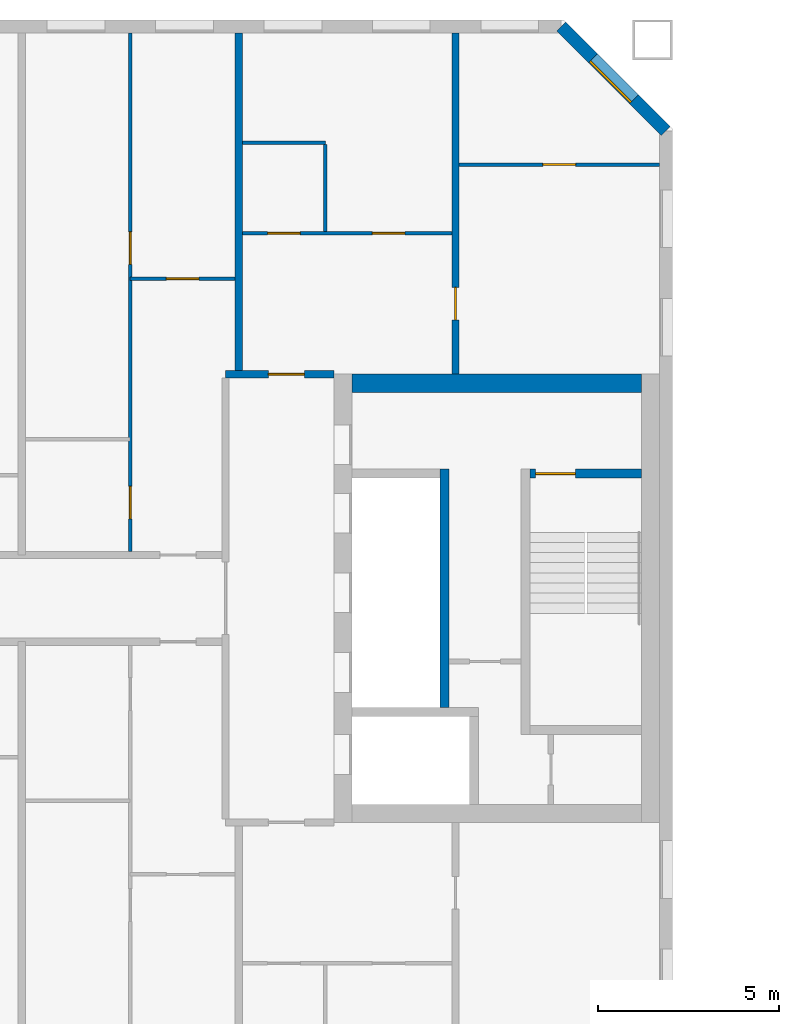
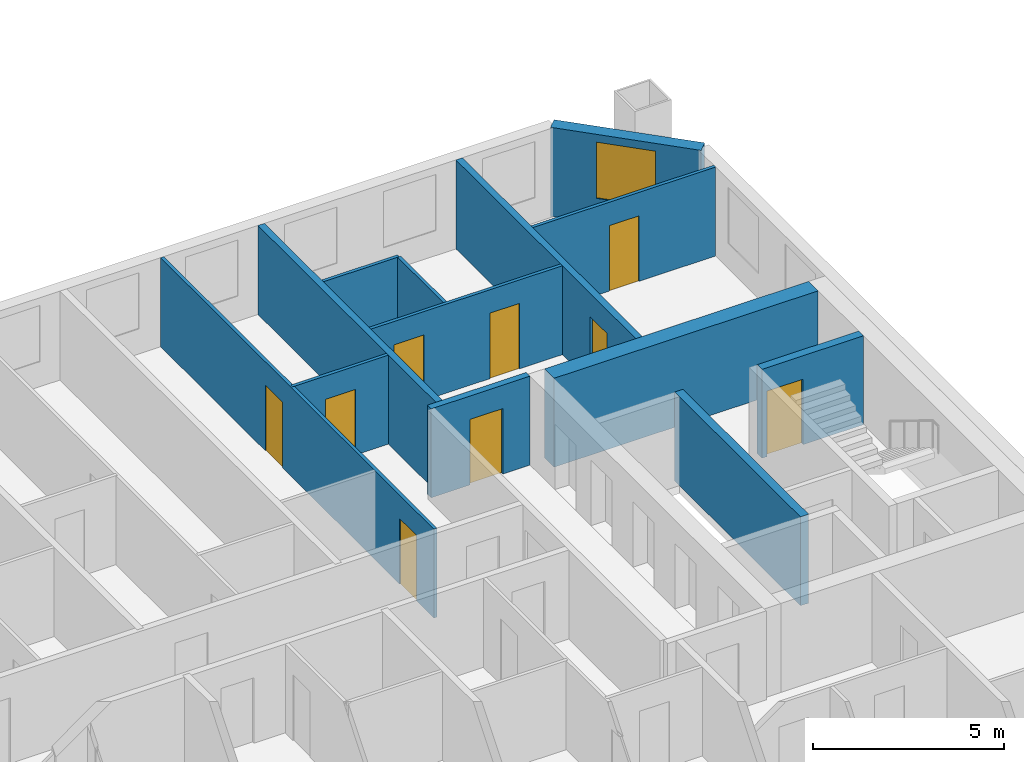
# One storey, part 7 of 15: 13 walls, 9 doors, 1 window, 10 openings.
"""IFC4 building model written with IfcOpenShell, lengths in metres."""

import ifcopenshell
import ifcopenshell.guid

model = None  # the IFC model being written
_history = None  # IfcOwnerHistory: only IFC2X3 demands one
_inside = {}  # id of a spatial element -> (the spatial element, [elements in it])
_under = {}  # id of a project, library or spatial element -> (it, [spatial elements below it])
_declared = {}  # id of a project -> (the project, [libraries it declares])
_typed = {}  # id of a type object -> (the type object, [elements of that type])
_made_of = {}  # id of a material, layer set ... -> (it, [elements and type objects made of it])


def new_model(schema):
    """Start an empty IFC model of exactly this schema.

    Asked for "IFC4X3", IfcOpenShell would pick the latest addendum, in which some entities
    have other attributes; the version numbers below select the first issue.
    IFC2X3 requires an IfcOwnerHistory on every rooted entity: one is made here for all.
    """
    global model, _history
    if schema == "IFC4X3":
        model = ifcopenshell.file(schema_version=(4, 3, 0, 0))
    else:
        model = ifcopenshell.file(schema=schema)
    _inside.clear()
    _under.clear()
    _declared.clear()
    _typed.clear()
    _made_of.clear()
    _history = None
    if model.schema == "IFC2X3":
        org = make("IfcOrganization", Name="unknown")
        user = make(
            "IfcPersonAndOrganization",
            ThePerson=make("IfcPerson", FamilyName="unknown"),
            TheOrganization=org,
        )
        app = make(
            "IfcApplication",
            ApplicationDeveloper=org,
            Version="unknown",
            ApplicationFullName="unknown",
            ApplicationIdentifier="unknown",
        )
        _history = make(
            "IfcOwnerHistory",
            OwningUser=user,
            OwningApplication=app,
            ChangeAction="ADDED",
            CreationDate=0,
        )
    return model


def make(cls, **values):
    """One entity of the class cls with the attributes given. An attribute that is None is left unset."""
    return model.create_entity(
        cls, **{name: value for name, value in values.items() if value is not None}
    )


def rooted(cls, **values):
    """An entity with a GlobalId (a new one), such as an element, a storey or a relation."""
    return make(cls, GlobalId=ifcopenshell.guid.new(), OwnerHistory=_history, **values)


def si_unit(unit_type, name, prefix=None):
    """IfcSIUnit, for example si_unit("LENGTHUNIT", "METRE", prefix="MILLI")."""
    return make("IfcSIUnit", UnitType=unit_type, Prefix=prefix, Name=name)


def assignment(units):
    """IfcUnitAssignment: the units of a project."""
    return None if units is None else make("IfcUnitAssignment", Units=units)


def point(xyz):
    """IfcCartesianPoint."""
    return None if xyz is None else make("IfcCartesianPoint", Coordinates=xyz)


def direction(xyz):
    """IfcDirection."""
    return None if xyz is None else make("IfcDirection", DirectionRatios=xyz)


def frame(location, z_axis=None, x_axis=None):
    """IfcAxis2Placement3D, a coordinate frame: its origin and axes. An axis left out is left unset."""
    return make(
        "IfcAxis2Placement3D",
        Location=point(location),
        Axis=direction(z_axis),
        RefDirection=direction(x_axis),
    )


def frame_2d(location, x_axis=None):
    """IfcAxis2Placement2D, a coordinate frame in the plane: its origin and x axis."""
    return make(
        "IfcAxis2Placement2D", Location=point(location), RefDirection=direction(x_axis)
    )


def origin():
    """The frame at (0, 0, 0) with its axes left unset."""
    return frame((0.0, 0.0, 0.0))


def place(relative_to, where):
    """IfcLocalPlacement: puts the frame where relative to a parent placement (None: the world)."""
    return make(
        "IfcLocalPlacement", PlacementRelTo=relative_to, RelativePlacement=where
    )


def context(
    kind, dimensions, precision=None, world=None, true_north=None, identifier=None
):
    """IfcGeometricRepresentationContext, for example the 3D "Model" context."""
    return make(
        "IfcGeometricRepresentationContext",
        ContextIdentifier=identifier,
        ContextType=kind,
        CoordinateSpaceDimension=dimensions,
        Precision=precision,
        WorldCoordinateSystem=world,
        TrueNorth=true_north,
    )


def subcontext(parent, identifier, kind, view, scale=None):
    """IfcGeometricRepresentationSubContext, for example "Body" below "Model"."""
    return make(
        "IfcGeometricRepresentationSubContext",
        ContextIdentifier=identifier,
        ContextType=kind,
        ParentContext=parent,
        TargetScale=scale,
        TargetView=view,
    )


def project(units=None, contexts=None):
    """IfcProject with its units and contexts."""
    return rooted(
        "IfcProject",
        Name="project",
        RepresentationContexts=contexts,
        UnitsInContext=assignment(units),
    )


def spatial(cls, under=None, at=None, **own):
    """A site, building, storey or space (cls), placed at a placement, below another one or the project."""
    s = rooted(cls, ObjectPlacement=at, **own)
    if under is not None:
        _under.setdefault(under.id(), (under, []))[1].append(s)
    return s


def profile(cls, at=None, kind="AREA", **sizes):
    """A parametric profile (cls). Its sizes go by their IFC names, for example OverallWidth=200.0."""
    return make(cls, ProfileType=kind, Position=at, **sizes)


def rectangle(**sizes):
    """IfcRectangleProfileDef."""
    return profile("IfcRectangleProfileDef", **sizes)


def extrude(swept, where, along, depth):
    """IfcExtrudedAreaSolid: the profile swept, set in the frame where, extruded along a direction by depth."""
    return make(
        "IfcExtrudedAreaSolid",
        SweptArea=swept,
        Position=where,
        ExtrudedDirection=direction(along),
        Depth=depth,
    )


def shape(context_of_items, identifier, shape_type, items):
    """IfcShapeRepresentation: the items that make up one representation, for example the "Body"."""
    return make(
        "IfcShapeRepresentation",
        ContextOfItems=context_of_items,
        RepresentationIdentifier=identifier,
        RepresentationType=shape_type,
        Items=items,
    )


def material(Name=None, Category=None):
    """IfcMaterial."""
    return make("IfcMaterial", Name=Name, Category=Category)


def layer(
    of_material, thickness, ventilated=None, Name=None, Category=None, Priority=None
):
    """IfcMaterialLayer: one layer of a wall or slab, of a material (None: an air gap)."""
    return make(
        "IfcMaterialLayer",
        Material=of_material,
        LayerThickness=thickness,
        IsVentilated=ventilated,
        Name=Name,
        Category=Category,
        Priority=Priority,
    )


def layer_set(layers, Name=None):
    """IfcMaterialLayerSet."""
    return make("IfcMaterialLayerSet", MaterialLayers=layers, LayerSetName=Name)


def made_of(thing, what):
    """Note that an element or type object is made of a material, layer set ...; save() writes the relation."""
    if what is not None:
        _made_of.setdefault(what.id(), (what, []))[1].append(thing)
    return thing


def type_object(cls, material=None, **own):
    """A type object (cls), such as IfcWallType, which elements share."""
    return made_of(rooted(cls, **own), material)


def element(
    cls,
    number,
    at=None,
    inside=None,
    cuts=None,
    type_object=None,
    material=None,
    context=None,
    identifier="Body",
    shape_type=None,
    held_by="IfcProductDefinitionShape",
    body=None,
    shapes=None,
    **own,
):
    """One element of the class cls, such as IfcWall. Its Tag is "e" and its number.

    at: its placement. inside: the storey or other place that contains it. cuts: it is an
    opening in that element (IfcRelVoidsElement). A single representation is given by context,
    identifier, shape_type and body (its items); several are given by shapes. held_by: the class
    of the entity that holds the representations. save() writes the other relations.
    """
    e = rooted(cls, Tag="e%d" % number, ObjectPlacement=at, **own)
    if body is not None:
        shapes = [shape(context, identifier, shape_type, body)]
    if shapes is not None:
        e.Representation = make(held_by, Representations=shapes)
    if inside is not None:
        _inside.setdefault(inside.id(), (inside, []))[1].append(e)
    if cuts is not None:
        rooted(
            "IfcRelVoidsElement", RelatingBuildingElement=cuts, RelatedOpeningElement=e
        )
    if type_object is not None:
        _typed.setdefault(type_object.id(), (type_object, []))[1].append(e)
    return made_of(e, material)


def fill(opening, filler):
    """IfcRelFillsElement: the door or window that sits in an opening."""
    return rooted(
        "IfcRelFillsElement",
        RelatingOpeningElement=opening,
        RelatedBuildingElement=filler,
    )


def aggregate(whole, parts):
    """IfcRelAggregates: a whole, such as a stair, and the parts it consists of."""
    return rooted("IfcRelAggregates", RelatingObject=whole, RelatedObjects=parts)


def save(model, path):
    """Write the relations noted so far, then the file.

    IfcRelAggregates (storeys below a building ...), IfcRelContainedInSpatialStructure (elements
    in a storey), IfcRelDefinesByType, IfcRelAssociatesMaterial and IfcRelDeclares: one each for
    every whole, place, type object, material and project.
    """
    for whole, parts in _under.values():
        aggregate(whole, parts)
    for where, things in _inside.values():
        rooted(
            "IfcRelContainedInSpatialStructure",
            RelatedElements=things,
            RelatingStructure=where,
        )
    for kind, things in _typed.values():
        rooted("IfcRelDefinesByType", RelatedObjects=things, RelatingType=kind)
    for what, things in _made_of.values():
        rooted("IfcRelAssociatesMaterial", RelatedObjects=things, RelatingMaterial=what)
    for by, libraries in _declared.values():
        rooted("IfcRelDeclares", RelatingContext=by, RelatedDefinitions=libraries)
    model.write(path)


model = new_model("IFC4")

# Units and contexts
model_context = context("Model", 3, precision=1e-05, world=origin(), true_north=direction((0.0, 1.0)))
body_context = subcontext(model_context, "Body", "Model", "MODEL_VIEW")
ifc_project = project(units=[si_unit("LENGTHUNIT", "METRE"), si_unit("AREAUNIT", "SQUARE_METRE"), si_unit("VOLUMEUNIT", "CUBIC_METRE"), si_unit("PLANEANGLEUNIT", "RADIAN"), si_unit("MASSUNIT", "GRAM", prefix="KILO")], contexts=[model_context])

# Site, building, storey
site_placement = place(None, origin())
site = spatial("IfcSite", under=ifc_project, at=site_placement, CompositionType="ELEMENT")
building_placement = place(site_placement, origin())
building = spatial("IfcBuilding", under=site, at=building_placement, Name="Tuart Gate Housing", CompositionType="ELEMENT")
storey_placement = place(building_placement, frame((0.0, 0.0, 164.0)))
storey = spatial("IfcBuildingStorey", under=building, at=storey_placement, Name="L46", CompositionType="ELEMENT", Elevation=164.0)

# Wall, opening, window
ifc_material_1 = material(Name="Brick", Category="masonry")
ifc_layer_1 = layer(ifc_material_1, 0.360107421875)
ifc_layer_set_1 = layer_set([ifc_layer_1], Name="Brick pier and spandrel wall 360")
wall_type_1 = type_object("IfcWallType", Name="Brick pier and spandrel wall 360", PredefinedType="STANDARD", material=ifc_layer_set_1)
wall_1_placement = place(storey_placement, frame((75.820068359375, 82.92529296875, 0.0), z_axis=(0.0, 0.0, 1.0), x_axis=(-0.707106781187, 0.707106781187, 0.0)))
wall_1 = element("IfcWall", 1, at=wall_1_placement, inside=storey, type_object=wall_type_1, Name="External wall A-NE L46", PredefinedType="STANDARD", context=body_context, shape_type="SweptSolid", body=[
    extrude(rectangle(XDim=4.09375, YDim=0.360107421875, at=frame_2d((2.046875, 0.0))), origin(), (0.0, 0.0, 1.0), 2.85009765625),
])
opening_1_placement = place(wall_1_placement, frame((1.2470703125, 0.0, 0.800048828125)))
opening_1 = element("IfcOpeningElement", 2, at=opening_1_placement, cuts=wall_1, Name="Opening W1", PredefinedType="OPENING", context=body_context, shape_type="SweptSolid", body=[
    extrude(rectangle(XDim=1.60009765625, YDim=1.800048828125, at=frame_2d((0.800048828125, 0.89990234375))), frame((0.0, 0.18994140625, 0.0), z_axis=(0.0, -1.0, 0.0), x_axis=(1.0, 0.0, 0.0)), (0.0, 0.0, 1.0), 0.380126953125),
])
ifc_material_2 = material(Name="Aluminium frame with clear glass", Category="aluminium")
window_type = type_object("IfcWindowType", Name="Punched window 1600 x 1800", PartitioningType="SINGLE_PANEL", PredefinedType="WINDOW", material=ifc_material_2)
window_placement = place(opening_1_placement, origin())
window = element("IfcWindow", 3, at=window_placement, inside=storey, type_object=window_type, Name="Window W1", OverallHeight=1.800048828125, OverallWidth=1.60009765625, PartitioningType="SINGLE_PANEL", PredefinedType="WINDOW", context=body_context, shape_type="SweptSolid", body=[
    extrude(rectangle(XDim=1.60009765625, YDim=1.800048828125, at=frame_2d((0.800048828125, 0.89990234375))), frame((0.0, 0.150146484375, 0.0), z_axis=(0.0, -1.0, 0.0), x_axis=(1.0, 0.0, 0.0)), (0.0, 0.0, 1.0), 0.06005859375),
])
fill(opening_1, window)

# Wall, opening, door
ifc_material_3 = material(Name="Concrete C40", Category="concrete")
ifc_layer_2 = layer(ifc_material_3, 0.25)
ifc_layer_set_2 = layer_set([ifc_layer_2], Name="Core wall 250 C40")
wall_type_2 = type_object("IfcWallType", Name="Core wall 250 C40", PredefinedType="SHEAR", material=ifc_layer_set_2)
wall_2_placement = place(storey_placement, frame((72.06494140625, 73.449951171875, 0.0), z_axis=(0.0, 0.0, 1.0), x_axis=(1.0, 0.0, 0.0)))
wall_2 = element("IfcWall", 4, at=wall_2_placement, inside=storey, type_object=wall_type_2, Name="Core wall AG.5", PredefinedType="SHEAR", context=body_context, shape_type="SweptSolid", body=[
    extrude(rectangle(XDim=3.074951171875, YDim=0.25, at=frame_2d((1.53759765625, 0.0))), origin(), (0.0, 0.0, 1.0), 2.85009765625),
])
opening_2_placement = place(wall_2_placement, frame((0.14990234375, 0.0, 0.0)))
opening_2 = element("IfcOpeningElement", 5, at=opening_2_placement, cuts=wall_2, Name="Opening D1643", PredefinedType="OPENING", context=body_context, shape_type="SweptSolid", body=[
    extrude(rectangle(XDim=1.10009765625, YDim=2.10009765625, at=frame_2d((0.550048828125, 1.050048828125))), frame((0.0, 0.135009765625, 0.0), z_axis=(0.0, -1.0, 0.0), x_axis=(1.0, 0.0, 0.0)), (0.0, 0.0, 1.0), 0.27001953125),
])
ifc_material_4 = material(Name="Steel fire door", Category="steel")
door_type_1 = type_object("IfcDoorType", Name="Stair door 1100 x 2100 RH", OperationType="SINGLE_SWING_RIGHT", PredefinedType="DOOR", material=ifc_material_4)
door_1_placement = place(opening_2_placement, frame((1.10009765625, 0.0, 0.0), z_axis=(0.0, 0.0, 1.0), x_axis=(-1.0, 0.0, 0.0)))
door_1 = element("IfcDoor", 6, at=door_1_placement, inside=storey, type_object=door_type_1, Name="Stair door AG.SD", OperationType="SINGLE_SWING_RIGHT", OverallHeight=2.10009765625, OverallWidth=1.10009765625, PredefinedType="DOOR", context=body_context, shape_type="SweptSolid", body=[
    extrude(rectangle(XDim=1.10009765625, YDim=2.10009765625, at=frame_2d((0.550048828125, 1.050048828125))), frame((0.0, 0.025146484375, 0.0), z_axis=(0.0, -1.0, 0.0), x_axis=(1.0, 0.0, 0.0)), (0.0, 0.0, 1.0), 0.050048828125),
])
fill(opening_2, door_1)

# Walls
wall_3_placement = place(storey_placement, frame((69.68994140625, 66.97509765625, 0.0), z_axis=(0.0, 0.0, 1.0), x_axis=(0.0, 1.0, 0.0)))
element("IfcWall", 7, at=wall_3_placement, inside=storey, type_object=wall_type_2, Name="Core wall AG.6", PredefinedType="SHEAR", context=body_context, shape_type="SweptSolid", body=[
    extrude(rectangle(XDim=6.599853515625, YDim=0.25, at=frame_2d((3.2998046875, 0.0))), origin(), (0.0, 0.0, 1.0), 2.85009765625),
])
ifc_material_5 = material(Name="Concrete C40", Category="concrete")
ifc_layer_3 = layer(ifc_material_5, 0.5)
ifc_layer_set_3 = layer_set([ifc_layer_3], Name="Core wall 500 C40")
wall_type_3 = type_object("IfcWallType", Name="Core wall 500 C40", PredefinedType="SHEAR", material=ifc_layer_set_3)
wall_4_placement = place(storey_placement, frame((67.139892578125, 75.949951171875, 0.0), z_axis=(0.0, 0.0, 1.0), x_axis=(1.0, 0.0, 0.0)))
element("IfcWall", 8, at=wall_4_placement, inside=storey, type_object=wall_type_3, Name="Core wall AG north", PredefinedType="SHEAR", context=body_context, shape_type="SweptSolid", body=[
    extrude(rectangle(XDim=8.0, YDim=0.5, at=frame_2d((4.0, 0.0))), origin(), (0.0, 0.0, 1.0), 2.85009765625),
])

# Wall, opening, door
ifc_material_6 = material(Name="Concrete masonry 15 MPa", Category="masonry")
ifc_layer_4 = layer(ifc_material_6, 0.199951171875)
ifc_layer_set_4 = layer_set([ifc_layer_4], Name="Enclosure wall masonry 200")
wall_type_4 = type_object("IfcWallType", Name="Enclosure wall masonry 200", PredefinedType="PARTITIONING", material=ifc_layer_set_4)
wall_5_placement = place(storey_placement, frame((63.639892578125, 76.199951171875, 0.0), z_axis=(0.0, 0.0, 1.0), x_axis=(1.0, 0.0, 0.0)))
wall_5 = element("IfcWall", 9, at=wall_5_placement, inside=storey, type_object=wall_type_4, Name="Enclosure wall masonry 200", PredefinedType="PARTITIONING", context=body_context, shape_type="SweptSolid", body=[
    extrude(rectangle(XDim=3.0, YDim=0.199951171875, at=frame_2d((1.5, 0.0))), origin(), (0.0, 0.0, 1.0), 2.85009765625),
])
opening_3_placement = place(wall_5_placement, frame((1.179931640625, 0.0, 0.0)))
opening_3 = element("IfcOpeningElement", 10, at=opening_3_placement, cuts=wall_5, Name="Opening D1642", PredefinedType="OPENING", context=body_context, shape_type="SweptSolid", body=[
    extrude(rectangle(XDim=1.0, YDim=2.10009765625, at=frame_2d((0.5, 1.050048828125))), frame((0.0, 0.10986328125, 0.0), z_axis=(0.0, -1.0, 0.0), x_axis=(1.0, 0.0, 0.0)), (0.0, 0.0, 1.0), 0.219970703125),
])
ifc_material_7 = material(Name="Timber door leaf in steel frame", Category="steel")
door_type_2 = type_object("IfcDoorType", Name="Flat entrance door 1000", OperationType="SINGLE_SWING_LEFT", PredefinedType="DOOR", material=ifc_material_7)
door_2_placement = place(opening_3_placement, origin())
door_2 = element("IfcDoor", 11, at=door_2_placement, inside=storey, type_object=door_type_2, Name="Flat entrance door", OperationType="SINGLE_SWING_LEFT", OverallHeight=2.10009765625, OverallWidth=1.0, PredefinedType="DOOR", context=body_context, shape_type="SweptSolid", body=[
    extrude(rectangle(XDim=1.0, YDim=2.10009765625, at=frame_2d((0.5, 1.050048828125))), frame((0.0, 0.02490234375, 0.0), z_axis=(0.0, -1.0, 0.0), x_axis=(1.0, 0.0, 0.0)), (0.0, 0.0, 1.0), 0.050048828125),
])
fill(opening_3, door_2)

ifc_material_8 = material(Name="Gypsum board on steel studs", Category="steel")
ifc_layer_5 = layer(ifc_material_8, 0.10009765625)
ifc_layer_set_5 = layer_set([ifc_layer_5], Name="Partition 100")
wall_type_5 = type_object("IfcWallType", Name="Partition 100", PredefinedType="PARTITIONING", material=ifc_layer_set_5)
wall_6_placement = place(storey_placement, frame((61.0, 78.840087890625, 0.0), z_axis=(0.0, 0.0, 1.0), x_axis=(1.0, 0.0, 0.0)))
wall_6 = element("IfcWall", 12, at=wall_6_placement, inside=storey, type_object=wall_type_5, Name="Partition 100", PredefinedType="PARTITIONING", context=body_context, shape_type="SweptSolid", body=[
    extrude(rectangle(XDim=2.89990234375, YDim=0.10009765625, at=frame_2d((1.449951171875, 0.0))), origin(), (0.0, 0.0, 1.0), 2.85009765625),
])
opening_4_placement = place(wall_6_placement, frame((1.0, 0.0, 0.0)))
opening_4 = element("IfcOpeningElement", 13, at=opening_4_placement, cuts=wall_6, Name="Opening D1631", PredefinedType="OPENING", context=body_context, shape_type="SweptSolid", body=[
    extrude(rectangle(XDim=0.89990234375, YDim=2.10009765625, at=frame_2d((0.449951171875, 1.050048828125))), frame((0.0, 0.06005859375, 0.0), z_axis=(0.0, -1.0, 0.0), x_axis=(1.0, 0.0, 0.0)), (0.0, 0.0, 1.0), 0.1201171875),
])
ifc_material_9 = material(Name="Timber door leaf in steel frame", Category="steel")
door_type_3 = type_object("IfcDoorType", Name="Internal door 900 RH", OperationType="SINGLE_SWING_RIGHT", PredefinedType="DOOR", material=ifc_material_9)
door_3_placement = place(opening_4_placement, frame((0.89990234375, 0.0, 0.0), z_axis=(0.0, 0.0, 1.0), x_axis=(-1.0, 0.0, 0.0)))
door_3 = element("IfcDoor", 14, at=door_3_placement, inside=storey, type_object=door_type_3, Name="Internal door", OperationType="SINGLE_SWING_RIGHT", OverallHeight=2.10009765625, OverallWidth=0.89990234375, PredefinedType="DOOR", context=body_context, shape_type="SweptSolid", body=[
    extrude(rectangle(XDim=0.89990234375, YDim=2.10009765625, at=frame_2d((0.449951171875, 1.050048828125))), frame((0.0, 0.025146484375, 0.0), z_axis=(0.0, -1.0, 0.0), x_axis=(1.0, 0.0, 0.0)), (0.0, 0.0, 1.0), 0.050048828125),
])
fill(opening_4, door_3)

# Wall, openings, doors
wall_7_placement = place(storey_placement, frame((64.10009765625, 80.10009765625, 0.0), z_axis=(0.0, 0.0, 1.0), x_axis=(1.0, 0.0, 0.0)))
wall_7 = element("IfcWall", 15, at=wall_7_placement, inside=storey, type_object=wall_type_5, Name="Partition 100", PredefinedType="PARTITIONING", context=body_context, shape_type="SweptSolid", body=[
    extrude(rectangle(XDim=5.7998046875, YDim=0.10009765625, at=frame_2d((2.89990234375, 0.0))), origin(), (0.0, 0.0, 1.0), 2.85009765625),
])
opening_5_placement = place(wall_7_placement, frame((3.60009765625, 0.0, 0.0)))
opening_5 = element("IfcOpeningElement", 16, at=opening_5_placement, cuts=wall_7, Name="Opening D1629", PredefinedType="OPENING", context=body_context, shape_type="SweptSolid", body=[
    extrude(rectangle(XDim=0.89990234375, YDim=2.10009765625, at=frame_2d((0.449951171875, 1.050048828125))), frame((0.0, 0.06005859375, 0.0), z_axis=(0.0, -1.0, 0.0), x_axis=(1.0, 0.0, 0.0)), (0.0, 0.0, 1.0), 0.1201171875),
])
opening_6_placement = place(wall_7_placement, frame((0.699951171875, 0.0, 0.0)))
opening_6 = element("IfcOpeningElement", 17, at=opening_6_placement, cuts=wall_7, Name="Opening D1628", PredefinedType="OPENING", context=body_context, shape_type="SweptSolid", body=[
    extrude(rectangle(XDim=0.89990234375, YDim=2.10009765625, at=frame_2d((0.449951171875, 1.050048828125))), frame((0.0, 0.06005859375, 0.0), z_axis=(0.0, -1.0, 0.0), x_axis=(1.0, 0.0, 0.0)), (0.0, 0.0, 1.0), 0.1201171875),
])
ifc_material_10 = material(Name="Timber door leaf in steel frame", Category="steel")
door_type_4 = type_object("IfcDoorType", Name="Bathroom door 900 RH", OperationType="SINGLE_SWING_RIGHT", PredefinedType="DOOR", material=ifc_material_10)
door_4_placement = place(opening_6_placement, origin())
door_4 = element("IfcDoor", 18, at=door_4_placement, inside=storey, type_object=door_type_4, Name="Bathroom door", OperationType="SINGLE_SWING_RIGHT", OverallHeight=2.10009765625, OverallWidth=0.89990234375, PredefinedType="DOOR", context=body_context, shape_type="SweptSolid", body=[
    extrude(rectangle(XDim=0.89990234375, YDim=2.10009765625, at=frame_2d((0.449951171875, 1.050048828125))), frame((0.0, 0.02490234375, 0.0), z_axis=(0.0, -1.0, 0.0), x_axis=(1.0, 0.0, 0.0)), (0.0, 0.0, 1.0), 0.050048828125),
])
fill(opening_6, door_4)
ifc_material_11 = material(Name="Timber door leaf in steel frame", Category="steel")
door_type_5 = type_object("IfcDoorType", Name="Internal door 900", OperationType="SINGLE_SWING_LEFT", PredefinedType="DOOR", material=ifc_material_11)
door_5_placement = place(opening_5_placement, origin())
door_5 = element("IfcDoor", 19, at=door_5_placement, inside=storey, type_object=door_type_5, Name="Internal door", OperationType="SINGLE_SWING_LEFT", OverallHeight=2.10009765625, OverallWidth=0.89990234375, PredefinedType="DOOR", context=body_context, shape_type="SweptSolid", body=[
    extrude(rectangle(XDim=0.89990234375, YDim=2.10009765625, at=frame_2d((0.449951171875, 1.050048828125))), frame((0.0, 0.02490234375, 0.0), z_axis=(0.0, -1.0, 0.0), x_axis=(1.0, 0.0, 0.0)), (0.0, 0.0, 1.0), 0.050048828125),
])
fill(opening_5, door_5)

# Wall, opening, door
wall_8_placement = place(storey_placement, frame((70.10009765625, 82.0, 0.0), z_axis=(0.0, 0.0, 1.0), x_axis=(1.0, 0.0, 0.0)))
wall_8 = element("IfcWall", 20, at=wall_8_placement, inside=storey, type_object=wall_type_5, Name="Partition 100", PredefinedType="PARTITIONING", context=body_context, shape_type="SweptSolid", body=[
    extrude(rectangle(XDim=5.539794921875, YDim=0.10009765625, at=frame_2d((2.77001953125, 0.0))), origin(), (0.0, 0.0, 1.0), 2.85009765625),
])
opening_7_placement = place(wall_8_placement, frame((2.320068359375, 0.0, 0.0)))
opening_7 = element("IfcOpeningElement", 21, at=opening_7_placement, cuts=wall_8, Name="Opening D1625", PredefinedType="OPENING", context=body_context, shape_type="SweptSolid", body=[
    extrude(rectangle(XDim=0.89990234375, YDim=2.10009765625, at=frame_2d((0.449951171875, 1.050048828125))), frame((0.0, 0.06005859375, 0.0), z_axis=(0.0, -1.0, 0.0), x_axis=(1.0, 0.0, 0.0)), (0.0, 0.0, 1.0), 0.1201171875),
])
door_6_placement = place(opening_7_placement, origin())
door_6 = element("IfcDoor", 22, at=door_6_placement, inside=storey, type_object=door_type_3, Name="Internal door", OperationType="SINGLE_SWING_RIGHT", OverallHeight=2.10009765625, OverallWidth=0.89990234375, PredefinedType="DOOR", context=body_context, shape_type="SweptSolid", body=[
    extrude(rectangle(XDim=0.89990234375, YDim=2.10009765625, at=frame_2d((0.449951171875, 1.050048828125))), frame((0.0, 0.02490234375, 0.0), z_axis=(0.0, -1.0, 0.0), x_axis=(1.0, 0.0, 0.0)), (0.0, 0.0, 1.0), 0.050048828125),
])
fill(opening_7, door_6)

# Wall
wall_9_placement = place(storey_placement, frame((64.10009765625, 82.60009765625, 0.0), z_axis=(0.0, 0.0, 1.0), x_axis=(1.0, 0.0, 0.0)))
element("IfcWall", 23, at=wall_9_placement, inside=storey, type_object=wall_type_5, Name="Partition 100", PredefinedType="PARTITIONING", context=body_context, shape_type="SweptSolid", body=[
    extrude(rectangle(XDim=2.2998046875, YDim=0.10009765625, at=frame_2d((1.14990234375, 0.0))), origin(), (0.0, 0.0, 1.0), 2.85009765625),
])

# Wall, openings, doors
wall_10_placement = place(storey_placement, frame((61.0, 71.300048828125, 0.0), z_axis=(0.0, 0.0, 1.0), x_axis=(0.0, 1.0, 0.0)))
wall_10 = element("IfcWall", 24, at=wall_10_placement, inside=storey, type_object=wall_type_5, Name="Partition 100", PredefinedType="PARTITIONING", context=body_context, shape_type="SweptSolid", body=[
    extrude(rectangle(XDim=14.33984375, YDim=0.10009765625, at=frame_2d((7.169921875, 0.0))), origin(), (0.0, 0.0, 1.0), 2.85009765625),
])
opening_8_placement = place(wall_10_placement, frame((7.93994140625, 0.0, 0.0)))
opening_8 = element("IfcOpeningElement", 25, at=opening_8_placement, cuts=wall_10, Name="Opening D1639", PredefinedType="OPENING", context=body_context, shape_type="SweptSolid", body=[
    extrude(rectangle(XDim=0.89990234375, YDim=2.10009765625, at=frame_2d((0.449951171875, 1.050048828125))), frame((0.0, 0.06005859375, 0.0), z_axis=(0.0, -1.0, 0.0), x_axis=(1.0, 0.0, 0.0)), (0.0, 0.0, 1.0), 0.1201171875),
])
opening_9_placement = place(wall_10_placement, frame((0.89990234375, 0.0, 0.0)))
opening_9 = element("IfcOpeningElement", 26, at=opening_9_placement, cuts=wall_10, Name="Opening D1638", PredefinedType="OPENING", context=body_context, shape_type="SweptSolid", body=[
    extrude(rectangle(XDim=0.89990234375, YDim=2.10009765625, at=frame_2d((0.449951171875, 1.050048828125))), frame((0.0, 0.06005859375, 0.0), z_axis=(0.0, -1.0, 0.0), x_axis=(1.0, 0.0, 0.0)), (0.0, 0.0, 1.0), 0.1201171875),
])
ifc_material_12 = material(Name="Timber door leaf in steel frame", Category="steel")
door_type_6 = type_object("IfcDoorType", Name="Bathroom door 900", OperationType="SINGLE_SWING_LEFT", PredefinedType="DOOR", material=ifc_material_12)
door_7_placement = place(opening_9_placement, origin())
door_7 = element("IfcDoor", 27, at=door_7_placement, inside=storey, type_object=door_type_6, Name="Bathroom door", OperationType="SINGLE_SWING_LEFT", OverallHeight=2.10009765625, OverallWidth=0.89990234375, PredefinedType="DOOR", context=body_context, shape_type="SweptSolid", body=[
    extrude(rectangle(XDim=0.89990234375, YDim=2.10009765625, at=frame_2d((0.449951171875, 1.050048828125))), frame((0.0, 0.02490234375, 0.0), z_axis=(0.0, -1.0, 0.0), x_axis=(1.0, 0.0, 0.0)), (0.0, 0.0, 1.0), 0.050048828125),
])
fill(opening_9, door_7)
door_8_placement = place(opening_8_placement, origin())
door_8 = element("IfcDoor", 28, at=door_8_placement, inside=storey, type_object=door_type_5, Name="Internal door", OperationType="SINGLE_SWING_LEFT", OverallHeight=2.10009765625, OverallWidth=0.89990234375, PredefinedType="DOOR", context=body_context, shape_type="SweptSolid", body=[
    extrude(rectangle(XDim=0.89990234375, YDim=2.10009765625, at=frame_2d((0.449951171875, 1.050048828125))), frame((0.0, 0.02490234375, 0.0), z_axis=(0.0, -1.0, 0.0), x_axis=(1.0, 0.0, 0.0)), (0.0, 0.0, 1.0), 0.050048828125),
])
fill(opening_8, door_8)

# Walls
wall_11_placement = place(storey_placement, frame((66.39990234375, 80.14990234375, 0.0), z_axis=(0.0, 0.0, 1.0), x_axis=(0.0, 1.0, 0.0)))
element("IfcWall", 29, at=wall_11_placement, inside=storey, type_object=wall_type_5, Name="Partition 100", PredefinedType="PARTITIONING", context=body_context, shape_type="SweptSolid", body=[
    extrude(rectangle(XDim=2.400146484375, YDim=0.10009765625, at=frame_2d((1.2001953125, 0.0))), origin(), (0.0, 0.0, 1.0), 2.85009765625),
])
ifc_material_13 = material(Name="Concrete C40", Category="concrete")
ifc_layer_6 = layer(ifc_material_13, 0.199951171875)
ifc_layer_set_6 = layer_set([ifc_layer_6], Name="Party wall concrete C40 200")
wall_type_6 = type_object("IfcWallType", Name="Party wall concrete C40 200", PredefinedType="SOLIDWALL", material=ifc_layer_set_6)
wall_12_placement = place(storey_placement, frame((64.0, 76.199951171875, 0.0), z_axis=(0.0, 0.0, 1.0), x_axis=(0.0, 1.0, 0.0)))
element("IfcWall", 30, at=wall_12_placement, inside=storey, type_object=wall_type_6, Name="Party wall concrete C40 200", PredefinedType="SOLIDWALL", context=body_context, shape_type="SweptSolid", body=[
    extrude(rectangle(XDim=9.43994140625, YDim=0.199951171875, at=frame_2d((4.719970703125, 0.0))), origin(), (0.0, 0.0, 1.0), 2.85009765625),
])

# Wall, opening, door
wall_13_placement = place(storey_placement, frame((70.0, 76.199951171875, 0.0), z_axis=(0.0, 0.0, 1.0), x_axis=(0.0, 1.0, 0.0)))
wall_13 = element("IfcWall", 31, at=wall_13_placement, inside=storey, type_object=wall_type_6, Name="Party wall concrete C40 200", PredefinedType="SOLIDWALL", context=body_context, shape_type="SweptSolid", body=[
    extrude(rectangle(XDim=9.43994140625, YDim=0.199951171875, at=frame_2d((4.719970703125, 0.0))), origin(), (0.0, 0.0, 1.0), 2.85009765625),
])
opening_10_placement = place(wall_13_placement, frame((1.5, 0.0, 0.0)))
opening_10 = element("IfcOpeningElement", 32, at=opening_10_placement, cuts=wall_13, Name="Opening D1626", PredefinedType="OPENING", context=body_context, shape_type="SweptSolid", body=[
    extrude(rectangle(XDim=0.89990234375, YDim=2.10009765625, at=frame_2d((0.449951171875, 1.050048828125))), frame((0.0, 0.10986328125, 0.0), z_axis=(0.0, -1.0, 0.0), x_axis=(1.0, 0.0, 0.0)), (0.0, 0.0, 1.0), 0.219970703125),
])
door_9_placement = place(opening_10_placement, origin())
door_9 = element("IfcDoor", 33, at=door_9_placement, inside=storey, type_object=door_type_5, Name="Internal door", OperationType="SINGLE_SWING_LEFT", OverallHeight=2.10009765625, OverallWidth=0.89990234375, PredefinedType="DOOR", context=body_context, shape_type="SweptSolid", body=[
    extrude(rectangle(XDim=0.89990234375, YDim=2.10009765625, at=frame_2d((0.449951171875, 1.050048828125))), frame((0.0, 0.02490234375, 0.0), z_axis=(0.0, -1.0, 0.0), x_axis=(1.0, 0.0, 0.0)), (0.0, 0.0, 1.0), 0.050048828125),
])
fill(opening_10, door_9)

save(model, "model.ifc")
